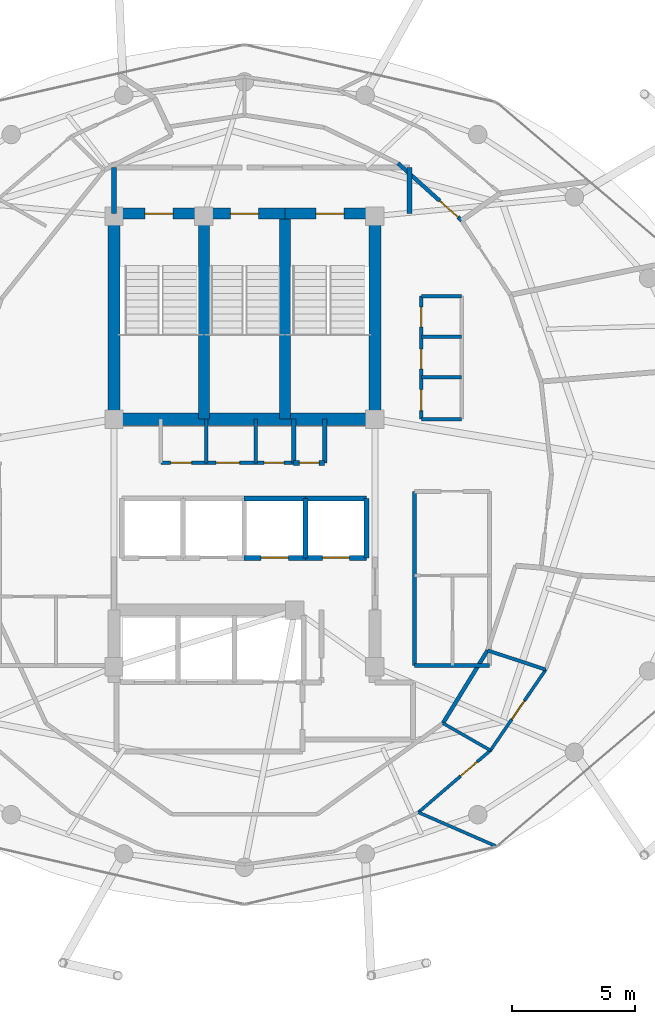
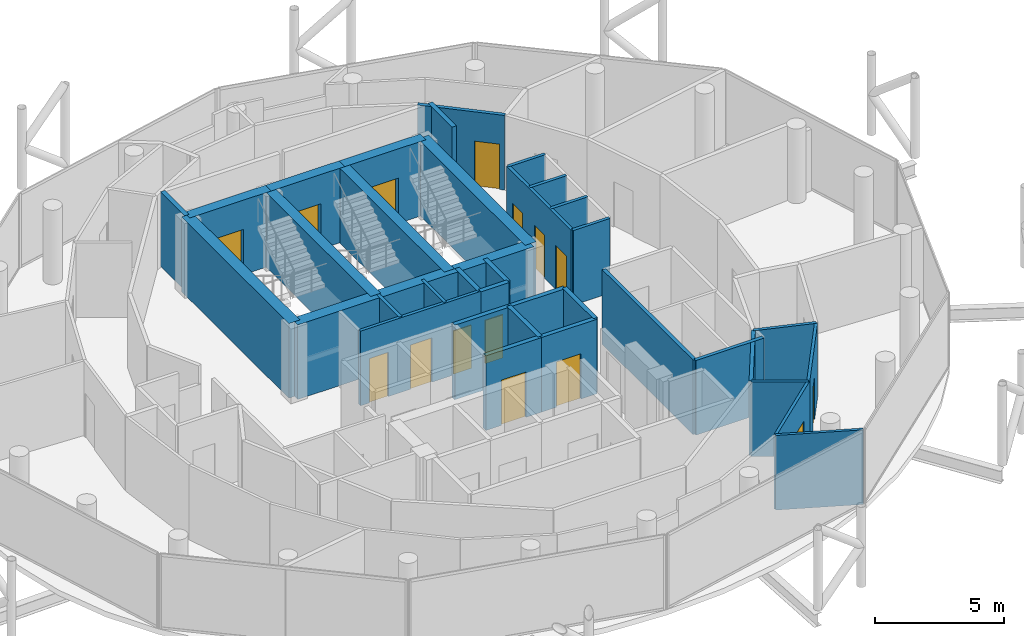
# One storey, part 21 of 24: 36 walls, 15 doors, 15 openings.
"""IFC4 building model written with IfcOpenShell, lengths in metres."""

from ifc_helpers import new_model, si_unit, direction, frame, frame_2d, origin, place, context, subcontext, project, spatial, rectangle, extrude, material, layer, layer_set, type_object, element, fill, save


model = new_model("IFC4")

# Units and contexts
model_context = context("Model", 3, precision=1e-05, world=origin(), true_north=direction((0.0, 1.0)))
body_context = subcontext(model_context, "Body", "Model", "MODEL_VIEW")
ifc_project = project(units=[si_unit("LENGTHUNIT", "METRE"), si_unit("AREAUNIT", "SQUARE_METRE"), si_unit("VOLUMEUNIT", "CUBIC_METRE"), si_unit("PLANEANGLEUNIT", "RADIAN"), si_unit("MASSUNIT", "GRAM", prefix="KILO")], contexts=[model_context])

# Site, building, storey
site_placement = place(None, origin())
site = spatial("IfcSite", under=ifc_project, at=site_placement, CompositionType="ELEMENT")
building_placement = place(site_placement, origin())
building = spatial("IfcBuilding", under=site, at=building_placement, Name="Nuhasar Tower", CompositionType="ELEMENT")
storey_placement = place(building_placement, frame((0.0, 0.0, 259.39990234375)))
storey = spatial("IfcBuildingStorey", under=building, at=storey_placement, Name="L64", CompositionType="ELEMENT", Elevation=259.39990234375)

# Wall, opening, door
ifc_material_1 = material(Name="Concrete C50/60", Category="concrete")
ifc_layer_1 = layer(ifc_material_1, 0.449951171875)
ifc_layer_set_1 = layer_set([ifc_layer_1], Name="Concrete C50/60")
wall_type_1 = type_object("IfcWallType", Name="WL-CORE-450", PredefinedType="SHEAR", material=ifc_layer_set_1)
wall_1_placement = place(storey_placement, frame((37.35009765625, 37.39990234375, 0.0), z_axis=(0.0, 0.0, 1.0), x_axis=(-1.0, 0.0, 0.0)))
wall_1 = element("IfcWall", 1, at=wall_1_placement, inside=storey, type_object=wall_type_1, Name="L64 Stairwell Shear Wall ST01-N", PredefinedType="SHEAR", context=body_context, shape_type="SweptSolid", body=[
    extrude(rectangle(XDim=3.650146484375, YDim=0.449951171875, at=frame_2d((1.8251953125, 0.0))), origin(), (0.0, 0.0, 1.0), 3.5400390625),
])
opening_1_placement = place(wall_1_placement, frame((1.25, 0.0, 0.0)))
opening_1 = element("IfcOpeningElement", 2, at=opening_1_placement, cuts=wall_1, Name="Opening DS-01", PredefinedType="OPENING", context=body_context, shape_type="SweptSolid", body=[
    extrude(rectangle(XDim=1.14990234375, YDim=2.14990234375, at=frame_2d((0.574951171875, 1.074951171875))), frame((0.0, 0.23486328125, 0.0), z_axis=(0.0, -1.0, 0.0), x_axis=(1.0, 0.0, 0.0)), (0.0, 0.0, 1.0), 0.469970703125),
])
ifc_material_2 = material(Name="Steel S355", Category="steel")
door_type_1 = type_object("IfcDoorType", Name="DR-STAIR-FD120-1150", OperationType="NOTDEFINED", PredefinedType="DOOR", material=ifc_material_2)
door_1_placement = place(opening_1_placement, origin())
door_1 = element("IfcDoor", 3, at=door_1_placement, inside=storey, type_object=door_type_1, Name="L64 Exit Stair ST-01 Door", OperationType="SINGLE_SWING_RIGHT", OverallHeight=2.14990234375, OverallWidth=1.14990234375, PredefinedType="DOOR", context=body_context, shape_type="SweptSolid", body=[
    extrude(rectangle(XDim=1.14990234375, YDim=2.14990234375, at=frame_2d((0.574951171875, 1.074951171875))), frame((0.0, 0.02490234375, 0.0), z_axis=(0.0, -1.0, 0.0), x_axis=(1.0, 0.0, 0.0)), (0.0, 0.0, 1.0), 0.050048828125),
])
fill(opening_1, door_1)

# Wall
wall_2_placement = place(storey_placement, frame((37.35009765625, 29.050048828125, 0.0), z_axis=(0.0, 0.0, 1.0), x_axis=(0.0, 1.0, 0.0)))
element("IfcWall", 4, at=wall_2_placement, inside=storey, type_object=wall_type_1, Name="L64 Stairwell Shear Wall ST01-E", PredefinedType="SHEAR", context=body_context, shape_type="SweptSolid", body=[
    extrude(rectangle(XDim=8.349853515625, YDim=0.449951171875, at=frame_2d((4.1748046875, 0.0))), origin(), (0.0, 0.0, 1.0), 3.5400390625),
])

# Wall, opening, door
wall_3_placement = place(storey_placement, frame((40.64990234375, 37.39990234375, 0.0), z_axis=(0.0, 0.0, 1.0), x_axis=(-1.0, 0.0, 0.0)))
wall_3 = element("IfcWall", 5, at=wall_3_placement, inside=storey, type_object=wall_type_1, Name="L64 Stairwell Shear Wall ST03-N", PredefinedType="SHEAR", context=body_context, shape_type="SweptSolid", body=[
    extrude(rectangle(XDim=3.2998046875, YDim=0.449951171875, at=frame_2d((1.64990234375, 0.0))), origin(), (0.0, 0.0, 1.0), 3.5400390625),
])
opening_2_placement = place(wall_3_placement, frame((1.074951171875, 0.0, 0.0)))
opening_2 = element("IfcOpeningElement", 6, at=opening_2_placement, cuts=wall_3, Name="Opening DS-01", PredefinedType="OPENING", context=body_context, shape_type="SweptSolid", body=[
    extrude(rectangle(XDim=1.14990234375, YDim=2.14990234375, at=frame_2d((0.574951171875, 1.074951171875))), frame((0.0, 0.23486328125, 0.0), z_axis=(0.0, -1.0, 0.0), x_axis=(1.0, 0.0, 0.0)), (0.0, 0.0, 1.0), 0.469970703125),
])
door_2_placement = place(opening_2_placement, origin())
door_2 = element("IfcDoor", 7, at=door_2_placement, inside=storey, type_object=door_type_1, Name="L64 Exit Stair ST-03 Door", OperationType="SINGLE_SWING_RIGHT", OverallHeight=2.14990234375, OverallWidth=1.14990234375, PredefinedType="DOOR", context=body_context, shape_type="SweptSolid", body=[
    extrude(rectangle(XDim=1.14990234375, YDim=2.14990234375, at=frame_2d((0.574951171875, 1.074951171875))), frame((0.0, 0.02490234375, 0.0), z_axis=(0.0, -1.0, 0.0), x_axis=(1.0, 0.0, 0.0)), (0.0, 0.0, 1.0), 0.050048828125),
])
fill(opening_2, door_2)

# Wall
wall_4_placement = place(storey_placement, frame((40.64990234375, 29.050048828125, 0.0), z_axis=(0.0, 0.0, 1.0), x_axis=(0.0, 1.0, 0.0)))
element("IfcWall", 8, at=wall_4_placement, inside=storey, type_object=wall_type_1, Name="L64 Stairwell Shear Wall ST03-E", PredefinedType="SHEAR", context=body_context, shape_type="SweptSolid", body=[
    extrude(rectangle(XDim=8.349853515625, YDim=0.449951171875, at=frame_2d((4.1748046875, 0.0))), origin(), (0.0, 0.0, 1.0), 3.5400390625),
])

# Wall, opening, door
wall_5_placement = place(storey_placement, frame((44.300048828125, 37.39990234375, 0.0), z_axis=(0.0, 0.0, 1.0), x_axis=(-1.0, 0.0, 0.0)))
wall_5 = element("IfcWall", 9, at=wall_5_placement, inside=storey, type_object=wall_type_1, Name="L64 Stairwell Shear Wall ST02-N", PredefinedType="SHEAR", context=body_context, shape_type="SweptSolid", body=[
    extrude(rectangle(XDim=3.650146484375, YDim=0.449951171875, at=frame_2d((1.8251953125, 0.0))), origin(), (0.0, 0.0, 1.0), 3.5400390625),
])
opening_3_placement = place(wall_5_placement, frame((1.25, 0.0, 0.0)))
opening_3 = element("IfcOpeningElement", 10, at=opening_3_placement, cuts=wall_5, Name="Opening DS-01", PredefinedType="OPENING", context=body_context, shape_type="SweptSolid", body=[
    extrude(rectangle(XDim=1.14990234375, YDim=2.14990234375, at=frame_2d((0.574951171875, 1.074951171875))), frame((0.0, 0.23486328125, 0.0), z_axis=(0.0, -1.0, 0.0), x_axis=(1.0, 0.0, 0.0)), (0.0, 0.0, 1.0), 0.469970703125),
])
door_3_placement = place(opening_3_placement, origin())
door_3 = element("IfcDoor", 11, at=door_3_placement, inside=storey, type_object=door_type_1, Name="L64 Exit Stair ST-02 Door", OperationType="SINGLE_SWING_LEFT", OverallHeight=2.14990234375, OverallWidth=1.14990234375, PredefinedType="DOOR", context=body_context, shape_type="SweptSolid", body=[
    extrude(rectangle(XDim=1.14990234375, YDim=2.14990234375, at=frame_2d((0.574951171875, 1.074951171875))), frame((0.0, 0.02490234375, 0.0), z_axis=(0.0, -1.0, 0.0), x_axis=(1.0, 0.0, 0.0)), (0.0, 0.0, 1.0), 0.050048828125),
])
fill(opening_3, door_3)

# Walls
ifc_layer_2 = layer(ifc_material_1, 0.5)
ifc_layer_set_2 = layer_set([ifc_layer_2], Name="Concrete C50/60")
wall_type_2 = type_object("IfcWallType", Name="WL-CORE-500", PredefinedType="SHEAR", material=ifc_layer_set_2)
for number, where, z_axis, x_axis, name in (
    (12, (33.699951171875, 29.050048828125, 0.0), (0.0, 0.0, 1.0), (0.0, 1.0, 0.0), "L64 Core Shear Wall CW-NW CW-500"),
    (13, (44.300048828125, 29.050048828125, 0.0), (0.0, 0.0, 1.0), (0.0, 1.0, 0.0), "L64 Core Shear Wall CW-NE CW-500"),
):
    element("IfcWall", number, at=place(storey_placement, frame(where, z_axis=z_axis, x_axis=x_axis)), inside=storey, type_object=wall_type_2, Name=name, PredefinedType="SHEAR", context=body_context, shape_type="SweptSolid", body=[
        extrude(rectangle(XDim=8.349853515625, YDim=0.5, at=frame_2d((4.1748046875, 0.0))), origin(), (0.0, 0.0, 1.0), 3.5400390625),
    ])
wall_6_placement = place(storey_placement, frame((33.699951171875, 29.050048828125, 0.0), z_axis=(0.0, 0.0, 1.0), x_axis=(1.0, 0.0, 0.0)))
element("IfcWall", 14, at=wall_6_placement, inside=storey, type_object=wall_type_2, Name="L64 Core Shear Wall CW-N1 CW-500", PredefinedType="SHEAR", context=body_context, shape_type="SweptSolid", body=[
    extrude(rectangle(XDim=10.60009765625, YDim=0.5, at=frame_2d((5.300048828125, 0.0))), origin(), (0.0, 0.0, 1.0), 3.5400390625),
])
ifc_material_3 = material(Name="Gypsum Board", Category="gypsum")
ifc_layer_3 = layer(ifc_material_3, 0.159912109375)
ifc_layer_set_3 = layer_set([ifc_layer_3], Name="Gypsum Board")
wall_type_3 = type_object("IfcWallType", Name="WL-CORR-160", PredefinedType="PARTITIONING", material=ifc_layer_set_3)
wall_7_placement = place(storey_placement, frame((45.89990234375, 19.050048828125, 0.0), z_axis=(0.0, 0.0, 1.0), x_axis=(1.0, 0.0, 0.0)))
element("IfcWall", 15, at=wall_7_placement, inside=storey, type_object=wall_type_3, Name="L64 Interior Partition RECL-B2-S", PredefinedType="PARTITIONING", context=body_context, shape_type="SweptSolid", body=[
    extrude(rectangle(XDim=3.050048828125, YDim=0.159912109375, at=frame_2d((1.52490234375, 0.0))), origin(), (0.0, 0.0, 1.0), 3.5400390625),
])
wall_8_placement = place(storey_placement, frame((45.89990234375, 19.050048828125, 0.0), z_axis=(0.0, 0.0, 1.0), x_axis=(0.0, 1.0, 0.0)))
element("IfcWall", 16, at=wall_8_placement, inside=storey, type_object=wall_type_3, Name="L64 Interior Partition RECL-B2-W", PredefinedType="PARTITIONING", context=body_context, shape_type="SweptSolid", body=[
    extrude(rectangle(XDim=7.070068359375, YDim=0.159912109375, at=frame_2d((3.53515625, 0.0))), origin(), (0.0, 0.0, 1.0), 3.5400390625),
])

# Wall, opening, door
wall_9_placement = place(storey_placement, frame((45.235107421875, 39.444091796875, 0.0), z_axis=(0.0, 0.0, 1.0), x_axis=(0.743958104357, -0.668226263299, 0.0)))
wall_9 = element("IfcWall", 17, at=wall_9_placement, inside=storey, type_object=wall_type_3, Name="L64 Interior Partition CORR-06", PredefinedType="PARTITIONING", context=body_context, shape_type="SweptSolid", body=[
    extrude(rectangle(XDim=3.471923828125, YDim=0.159912109375, at=frame_2d((1.73583984375, 0.0))), origin(), (0.0, 0.0, 1.0), 3.5400390625),
])
opening_4_placement = place(wall_9_placement, frame((2.27197265625, 0.0, 0.0)))
opening_4 = element("IfcOpeningElement", 18, at=opening_4_placement, cuts=wall_9, Name="Opening DU-02", PredefinedType="OPENING", context=body_context, shape_type="SweptSolid", body=[
    extrude(rectangle(XDim=1.0, YDim=2.14990234375, at=frame_2d((0.5, 1.074951171875))), frame((0.0, 0.08984375, 0.0), z_axis=(0.0, -1.0, 0.0), x_axis=(1.0, 0.0, 0.0)), (0.0, 0.0, 1.0), 0.179931640625),
])
ifc_material_4 = material(Name="Timber Oak", Category="wood")
door_type_2 = type_object("IfcDoorType", Name="DR-FLAT-FD60-1000", OperationType="NOTDEFINED", PredefinedType="DOOR", material=ifc_material_4)
door_4_placement = place(opening_4_placement, origin())
door_4 = element("IfcDoor", 19, at=door_4_placement, inside=storey, type_object=door_type_2, Name="L64 North-East Sky Penthouse Entrance Door", OperationType="SINGLE_SWING_RIGHT", OverallHeight=2.14990234375, OverallWidth=1.0, PredefinedType="DOOR", context=body_context, shape_type="SweptSolid", body=[
    extrude(rectangle(XDim=1.0, YDim=2.14990234375, at=frame_2d((0.5, 1.074951171875))), frame((0.0, 0.02490234375, 0.0), z_axis=(0.0, -1.0, 0.0), x_axis=(1.0, 0.0, 0.0)), (0.0, 0.0, 1.0), 0.050048828125),
])
fill(opening_4, door_4)

# Walls
wall_10_placement = place(storey_placement, frame((47.06103515625, 16.702880859375, 0.0), z_axis=(0.0, 0.0, 1.0), x_axis=(0.522486120877, 0.852647789823, 0.0)))
element("IfcWall", 20, at=wall_10_placement, inside=storey, type_object=wall_type_3, Name="L64 Interior Partition UWEST-CORE-S1-42", PredefinedType="PARTITIONING", context=body_context, shape_type="SweptSolid", body=[
    extrude(rectangle(XDim=3.468017578125, YDim=0.159912109375, at=frame_2d((1.73388671875, 0.0))), origin(), (0.0, 0.0, 1.0), 3.5400390625),
])
ifc_material_5 = material(Name="Concrete C45/55", Category="concrete")
ifc_layer_4 = layer(ifc_material_5, 0.199951171875)
ifc_layer_set_4 = layer_set([ifc_layer_4], Name="Concrete C45/55")
wall_type_4 = type_object("IfcWallType", Name="WL-LOBBY-200", PredefinedType="SOLIDWALL", material=ifc_layer_set_4)
for number, where, z_axis, x_axis, name in (
    (21, (33.699951171875, 37.39990234375, 0.0), (0.0, 0.0, 1.0), (0.0, 1.0, 0.0), "L64 Interior Partition NSL-W"),
    (22, (45.699951171875, 37.39990234375, 0.0), (0.0, 0.0, 1.0), (0.0, 1.0, 0.0), "L64 Interior Partition NSL-E"),
):
    element("IfcWall", number, at=place(storey_placement, frame(where, z_axis=z_axis, x_axis=x_axis)), inside=storey, type_object=wall_type_4, Name=name, PredefinedType="SOLIDWALL", context=body_context, shape_type="SweptSolid", body=[
        extrude(rectangle(XDim=1.880126953125, YDim=0.199951171875, at=frame_2d((0.93994140625, 0.0))), origin(), (0.0, 0.0, 1.0), 3.5400390625),
    ])

# Wall, opening, door
ifc_layer_5 = layer(ifc_material_3, 0.125)
ifc_layer_set_5 = layer_set([ifc_layer_5], Name="Gypsum Board")
wall_type_5 = type_object("IfcWallType", Name="WL-PART-125", PredefinedType="PARTITIONING", material=ifc_layer_set_5)
wall_11_placement = place(storey_placement, frame((51.237060546875, 18.8798828125, 0.0), z_axis=(0.0, 0.0, 1.0), x_axis=(-0.5649172284, -0.825147577744, 0.0)))
wall_11 = element("IfcWall", 23, at=wall_11_placement, inside=storey, type_object=wall_type_5, Name="L64 Interior Partition USM-2-K-42", PredefinedType="PARTITIONING", context=body_context, shape_type="SweptSolid", body=[
    extrude(rectangle(XDim=3.97607421875, YDim=0.125, at=frame_2d((1.988037109375, 0.0))), origin(), (0.0, 0.0, 1.0), 3.5400390625),
])
opening_5_placement = place(wall_11_placement, frame((1.5380859375, 0.0, 0.0)))
opening_5 = element("IfcOpeningElement", 24, at=opening_5_placement, cuts=wall_11, Name="Opening DR-01", PredefinedType="OPENING", context=body_context, shape_type="SweptSolid", body=[
    extrude(rectangle(XDim=0.89990234375, YDim=2.10009765625, at=frame_2d((0.449951171875, 1.050048828125))), frame((0.0, 0.072509765625, 0.0), z_axis=(0.0, -1.0, 0.0), x_axis=(1.0, 0.0, 0.0)), (0.0, 0.0, 1.0), 0.14501953125),
])
door_type_3 = type_object("IfcDoorType", Name="DR-ROOM-900", OperationType="NOTDEFINED", PredefinedType="DOOR", material=ifc_material_4)
door_5_placement = place(opening_5_placement, origin())
door_5 = element("IfcDoor", 25, at=door_5_placement, inside=storey, type_object=door_type_3, Name="L64 South-West Sky Home Kitchen Door", OperationType="SINGLE_SWING_LEFT", OverallHeight=2.10009765625, OverallWidth=0.89990234375, PredefinedType="DOOR", context=body_context, shape_type="SweptSolid", body=[
    extrude(rectangle(XDim=0.89990234375, YDim=2.10009765625, at=frame_2d((0.449951171875, 1.050048828125))), frame((0.0, 0.02490234375, 0.0), z_axis=(0.0, -1.0, 0.0), x_axis=(1.0, 0.0, 0.0)), (0.0, 0.0, 1.0), 0.050048828125),
])
fill(opening_5, door_5)

# Wall
wall_12_placement = place(storey_placement, frame((47.06103515625, 16.702880859375, 0.0), z_axis=(0.0, 0.0, 1.0), x_axis=(0.868060627231, -0.496458203126, 0.0)))
element("IfcWall", 26, at=wall_12_placement, inside=storey, type_object=wall_type_5, Name="L64 Interior Partition USI-2-DK", PredefinedType="PARTITIONING", context=body_context, shape_type="SweptSolid", body=[
    extrude(rectangle(XDim=2.223388671875, YDim=0.125, at=frame_2d((1.11181640625, 0.0))), origin(), (0.0, 0.0, 1.0), 3.5400390625),
])

# Wall, opening, door
wall_13_placement = place(storey_placement, frame((48.990966796875, 15.59912109375, 0.0), z_axis=(0.0, 0.0, 1.0), x_axis=(-0.758094504626, -0.652144709444, 0.0)))
wall_13 = element("IfcWall", 27, at=wall_13_placement, inside=storey, type_object=wall_type_5, Name="L64 Interior Partition USM-2-D-40", PredefinedType="PARTITIONING", context=body_context, shape_type="SweptSolid", body=[
    extrude(rectangle(XDim=3.859619140625, YDim=0.125, at=frame_2d((1.9296875, 0.0))), origin(), (0.0, 0.0, 1.0), 3.5400390625),
])
opening_6_placement = place(wall_13_placement, frame((0.701904296875, 0.0, 0.0)))
opening_6 = element("IfcOpeningElement", 28, at=opening_6_placement, cuts=wall_13, Name="Opening DR-01", PredefinedType="OPENING", context=body_context, shape_type="SweptSolid", body=[
    extrude(rectangle(XDim=0.89990234375, YDim=2.10009765625, at=frame_2d((0.449951171875, 1.050048828125))), frame((0.0, 0.072509765625, 0.0), z_axis=(0.0, -1.0, 0.0), x_axis=(1.0, 0.0, 0.0)), (0.0, 0.0, 1.0), 0.14501953125),
])
door_6_placement = place(opening_6_placement, origin())
door_6 = element("IfcDoor", 29, at=door_6_placement, inside=storey, type_object=door_type_3, Name="L64 South-West Sky Home Master Bedroom Door", OperationType="SINGLE_SWING_LEFT", OverallHeight=2.10009765625, OverallWidth=0.89990234375, PredefinedType="DOOR", context=body_context, shape_type="SweptSolid", body=[
    extrude(rectangle(XDim=0.89990234375, YDim=2.10009765625, at=frame_2d((0.449951171875, 1.050048828125))), frame((0.0, 0.02490234375, 0.0), z_axis=(0.0, -1.0, 0.0), x_axis=(1.0, 0.0, 0.0)), (0.0, 0.0, 1.0), 0.050048828125),
])
fill(opening_6, door_6)

# Walls
wall_14_placement = place(storey_placement, frame((46.06494140625, 13.08203125, 0.0), z_axis=(0.0, 0.0, 1.0), x_axis=(0.916707983788, -0.399557846199, 0.0)))
element("IfcWall", 30, at=wall_14_placement, inside=storey, type_object=wall_type_5, Name="L64 Interior Partition USO-2-BD", PredefinedType="PARTITIONING", context=body_context, shape_type="SweptSolid", body=[
    extrude(rectangle(XDim=3.43408203125, YDim=0.125, at=frame_2d((1.717041015625, 0.0))), origin(), (0.0, 0.0, 1.0), 3.5400390625),
])
ifc_layer_6 = layer(ifc_material_5, 0.199951171875)
ifc_layer_set_6 = layer_set([ifc_layer_6], Name="Concrete C45/55")
wall_type_6 = type_object("IfcWallType", Name="WL-SHAFT-200", PredefinedType="SOLIDWALL", material=ifc_layer_set_6)
for number, where, z_axis, x_axis, name in (
    (31, (41.0, 27.280029296875, 0.0), (0.0, 0.0, 1.0), (0.0, 1.0, 0.0), "L64 Interior Partition RSRN-W"),
    (32, (42.260009765625, 27.280029296875, 0.0), (0.0, 0.0, 1.0), (0.0, 1.0, 0.0), "L64 Interior Partition RSRN-E"),
):
    element("IfcWall", number, at=place(storey_placement, frame(where, z_axis=z_axis, x_axis=x_axis)), inside=storey, type_object=wall_type_6, Name=name, PredefinedType="SOLIDWALL", context=body_context, shape_type="SweptSolid", body=[
        extrude(rectangle(XDim=1.77001953125, YDim=0.199951171875, at=frame_2d((0.885009765625, 0.0))), origin(), (0.0, 0.0, 1.0), 3.5400390625),
    ])

# Wall, opening, door
wall_15_placement = place(storey_placement, frame((41.0, 27.280029296875, 0.0), z_axis=(0.0, 0.0, 1.0), x_axis=(1.0, 0.0, 0.0)))
wall_15 = element("IfcWall", 33, at=wall_15_placement, inside=storey, type_object=wall_type_6, Name="L64 Interior Partition RSRN-S", PredefinedType="SOLIDWALL", context=body_context, shape_type="SweptSolid", body=[
    extrude(rectangle(XDim=1.260009765625, YDim=0.199951171875, at=frame_2d((0.6298828125, 0.0))), origin(), (0.0, 0.0, 1.0), 3.5400390625),
])
opening_7_placement = place(wall_15_placement, frame((0.22998046875, 0.0, 0.0)))
opening_7 = element("IfcOpeningElement", 34, at=opening_7_placement, cuts=wall_15, Name="Opening DM-01", PredefinedType="OPENING", context=body_context, shape_type="SweptSolid", body=[
    extrude(rectangle(XDim=0.800048828125, YDim=2.050048828125, at=frame_2d((0.39990234375, 1.02490234375))), frame((0.0, 0.10986328125, 0.0), z_axis=(0.0, -1.0, 0.0), x_axis=(1.0, 0.0, 0.0)), (0.0, 0.0, 1.0), 0.219970703125),
])
door_type_4 = type_object("IfcDoorType", Name="DR-RISER-FD60-800", OperationType="NOTDEFINED", PredefinedType="DOOR", material=ifc_material_2)
door_7_placement = place(opening_7_placement, origin())
door_7 = element("IfcDoor", 35, at=door_7_placement, inside=storey, type_object=door_type_4, Name="L64 North Smoke Riser Door", OperationType="SINGLE_SWING_RIGHT", OverallHeight=2.050048828125, OverallWidth=0.800048828125, PredefinedType="DOOR", context=body_context, shape_type="SweptSolid", body=[
    extrude(rectangle(XDim=0.800048828125, YDim=2.050048828125, at=frame_2d((0.39990234375, 1.02490234375))), frame((0.0, 0.02490234375, 0.0), z_axis=(0.0, -1.0, 0.0), x_axis=(1.0, 0.0, 0.0)), (0.0, 0.0, 1.0), 0.050048828125),
])
fill(opening_7, door_7)

wall_16_placement = place(storey_placement, frame((38.97998046875, 23.419921875, 0.0), z_axis=(0.0, 0.0, 1.0), x_axis=(1.0, 0.0, 0.0)))
wall_16 = element("IfcWall", 36, at=wall_16_placement, inside=storey, type_object=wall_type_6, Name="L64 Interior Partition SHF-PL-H03-S", PredefinedType="SOLIDWALL", context=body_context, shape_type="SweptSolid", body=[
    extrude(rectangle(XDim=2.5, YDim=0.199951171875, at=frame_2d((1.25, 0.0))), origin(), (0.0, 0.0, 1.0), 3.5400390625),
])
opening_8_placement = place(wall_16_placement, frame((0.699951171875, 0.0, 0.0)))
opening_8 = element("IfcOpeningElement", 37, at=opening_8_placement, cuts=wall_16, Name="Opening LD-H03", PredefinedType="OPENING", context=body_context, shape_type="SweptSolid", body=[
    extrude(rectangle(XDim=1.10009765625, YDim=2.14990234375, at=frame_2d((0.550048828125, 1.074951171875))), frame((0.0, 0.10986328125, 0.0), z_axis=(0.0, -1.0, 0.0), x_axis=(1.0, 0.0, 0.0)), (0.0, 0.0, 1.0), 0.219970703125),
])
ifc_material_6 = material(Name="Stainless Steel 316L", Category="steel")
door_type_5 = type_object("IfcDoorType", Name="LD-PAX-1100", OperationType="DOUBLE_DOOR_SLIDING", PredefinedType="DOOR", material=ifc_material_6)
door_8_placement = place(opening_8_placement, origin())
door_8 = element("IfcDoor", 38, at=door_8_placement, inside=storey, type_object=door_type_5, Name="L64 Lift Landing Door PL-H03", OperationType="DOUBLE_DOOR_SLIDING", OverallHeight=2.14990234375, OverallWidth=1.10009765625, PredefinedType="DOOR", context=body_context, shape_type="SweptSolid", body=[
    extrude(rectangle(XDim=1.10009765625, YDim=2.14990234375, at=frame_2d((0.550048828125, 1.074951171875))), frame((0.0, 0.02490234375, 0.0), z_axis=(0.0, -1.0, 0.0), x_axis=(1.0, 0.0, 0.0)), (0.0, 0.0, 1.0), 0.050048828125),
])
fill(opening_8, door_8)

# Walls
wall_17_placement = place(storey_placement, frame((38.97998046875, 25.830078125, 0.0), z_axis=(0.0, 0.0, 1.0), x_axis=(1.0, 0.0, 0.0)))
element("IfcWall", 39, at=wall_17_placement, inside=storey, type_object=wall_type_6, Name="L64 Interior Partition SHF-PL-H03-N", PredefinedType="SOLIDWALL", context=body_context, shape_type="SweptSolid", body=[
    extrude(rectangle(XDim=2.5, YDim=0.199951171875, at=frame_2d((1.25, 0.0))), origin(), (0.0, 0.0, 1.0), 3.5400390625),
])
wall_18_placement = place(storey_placement, frame((41.469970703125, 23.419921875, 0.0), z_axis=(0.0, 0.0, 1.0), x_axis=(0.0, 1.0, 0.0)))
element("IfcWall", 40, at=wall_18_placement, inside=storey, type_object=wall_type_6, Name="L64 Interior Partition SHF-PL-H03-E", PredefinedType="SOLIDWALL", context=body_context, shape_type="SweptSolid", body=[
    extrude(rectangle(XDim=2.41015625, YDim=0.199951171875, at=frame_2d((1.205078125, 0.0))), origin(), (0.0, 0.0, 1.0), 3.5400390625),
])

# Wall, opening, door
wall_19_placement = place(storey_placement, frame((41.4599609375, 23.419921875, 0.0), z_axis=(0.0, 0.0, 1.0), x_axis=(1.0, 0.0, 0.0)))
wall_19 = element("IfcWall", 41, at=wall_19_placement, inside=storey, type_object=wall_type_6, Name="L64 Interior Partition SHF-PL-H04-S", PredefinedType="SOLIDWALL", context=body_context, shape_type="SweptSolid", body=[
    extrude(rectangle(XDim=2.5, YDim=0.199951171875, at=frame_2d((1.25, 0.0))), origin(), (0.0, 0.0, 1.0), 3.5400390625),
])
opening_9_placement = place(wall_19_placement, frame((0.699951171875, 0.0, 0.0)))
opening_9 = element("IfcOpeningElement", 42, at=opening_9_placement, cuts=wall_19, Name="Opening LD-H04", PredefinedType="OPENING", context=body_context, shape_type="SweptSolid", body=[
    extrude(rectangle(XDim=1.10009765625, YDim=2.14990234375, at=frame_2d((0.550048828125, 1.074951171875))), frame((0.0, 0.10986328125, 0.0), z_axis=(0.0, -1.0, 0.0), x_axis=(1.0, 0.0, 0.0)), (0.0, 0.0, 1.0), 0.219970703125),
])
door_9_placement = place(opening_9_placement, origin())
door_9 = element("IfcDoor", 43, at=door_9_placement, inside=storey, type_object=door_type_5, Name="L64 Lift Landing Door PL-H04", OperationType="DOUBLE_DOOR_SLIDING", OverallHeight=2.14990234375, OverallWidth=1.10009765625, PredefinedType="DOOR", context=body_context, shape_type="SweptSolid", body=[
    extrude(rectangle(XDim=1.10009765625, YDim=2.14990234375, at=frame_2d((0.550048828125, 1.074951171875))), frame((0.0, 0.02490234375, 0.0), z_axis=(0.0, -1.0, 0.0), x_axis=(1.0, 0.0, 0.0)), (0.0, 0.0, 1.0), 0.050048828125),
])
fill(opening_9, door_9)

# Walls
wall_20_placement = place(storey_placement, frame((41.4599609375, 25.830078125, 0.0), z_axis=(0.0, 0.0, 1.0), x_axis=(1.0, 0.0, 0.0)))
element("IfcWall", 44, at=wall_20_placement, inside=storey, type_object=wall_type_6, Name="L64 Interior Partition SHF-PL-H04-N", PredefinedType="SOLIDWALL", context=body_context, shape_type="SweptSolid", body=[
    extrude(rectangle(XDim=2.5, YDim=0.199951171875, at=frame_2d((1.25, 0.0))), origin(), (0.0, 0.0, 1.0), 3.5400390625),
])
wall_21_placement = place(storey_placement, frame((43.9599609375, 23.419921875, 0.0), z_axis=(0.0, 0.0, 1.0), x_axis=(0.0, 1.0, 0.0)))
element("IfcWall", 45, at=wall_21_placement, inside=storey, type_object=wall_type_6, Name="L64 Interior Partition SHF-PL-H04-E", PredefinedType="SOLIDWALL", context=body_context, shape_type="SweptSolid", body=[
    extrude(rectangle(XDim=2.41015625, YDim=0.199951171875, at=frame_2d((1.205078125, 0.0))), origin(), (0.0, 0.0, 1.0), 3.5400390625),
])

# Wall, openings, doors
ifc_material_7 = material(Name="Concrete C40/50 precast", Category="concrete")
ifc_layer_7 = layer(ifc_material_7, 0.139892578125)
ifc_layer_set_7 = layer_set([ifc_layer_7], Name="Concrete C40/50 precast")
wall_type_7 = type_object("IfcWallType", Name="WL-WET-140", PredefinedType="PARTITIONING", material=ifc_layer_set_7)
wall_22_placement = place(storey_placement, frame((35.60009765625, 27.280029296875, 0.0), z_axis=(0.0, 0.0, 1.0), x_axis=(1.0, 0.0, 0.0)))
wall_22 = element("IfcWall", 46, at=wall_22_placement, inside=storey, type_object=wall_type_7, Name="L64 Interior Partition CSVC-S", PredefinedType="PARTITIONING", context=body_context, shape_type="SweptSolid", body=[
    extrude(rectangle(XDim=5.39990234375, YDim=0.139892578125, at=frame_2d((2.699951171875, 0.0))), origin(), (0.0, 0.0, 1.0), 3.5400390625),
])
opening_10_placement = place(wall_22_placement, frame((0.39990234375, 0.0, 0.0)))
opening_10 = element("IfcOpeningElement", 47, at=opening_10_placement, cuts=wall_22, Name="Opening DB-01", PredefinedType="OPENING", context=body_context, shape_type="SweptSolid", body=[
    extrude(rectangle(XDim=0.85009765625, YDim=2.10009765625, at=frame_2d((0.425048828125, 1.050048828125))), frame((0.0, 0.080078125, 0.0), z_axis=(0.0, -1.0, 0.0), x_axis=(1.0, 0.0, 0.0)), (0.0, 0.0, 1.0), 0.159912109375),
])
opening_11_placement = place(wall_22_placement, frame((2.25, 0.0, 0.0)))
opening_11 = element("IfcOpeningElement", 48, at=opening_11_placement, cuts=wall_22, Name="Opening DA-01", PredefinedType="OPENING", context=body_context, shape_type="SweptSolid", body=[
    extrude(rectangle(XDim=0.949951171875, YDim=2.10009765625, at=frame_2d((0.47509765625, 1.050048828125))), frame((0.0, 0.080078125, 0.0), z_axis=(0.0, -1.0, 0.0), x_axis=(1.0, 0.0, 0.0)), (0.0, 0.0, 1.0), 0.159912109375),
])
opening_12_placement = place(wall_22_placement, frame((4.199951171875, 0.0, 0.0)))
opening_12 = element("IfcOpeningElement", 49, at=opening_12_placement, cuts=wall_22, Name="Opening DM-01", PredefinedType="OPENING", context=body_context, shape_type="SweptSolid", body=[
    extrude(rectangle(XDim=0.800048828125, YDim=2.050048828125, at=frame_2d((0.39990234375, 1.02490234375))), frame((0.0, 0.080078125, 0.0), z_axis=(0.0, -1.0, 0.0), x_axis=(1.0, 0.0, 0.0)), (0.0, 0.0, 1.0), 0.159912109375),
])
door_type_6 = type_object("IfcDoorType", Name="DR-ACCWC-950", OperationType="NOTDEFINED", PredefinedType="DOOR", material=ifc_material_4)
door_10_placement = place(opening_11_placement, origin())
door_10 = element("IfcDoor", 50, at=door_10_placement, inside=storey, type_object=door_type_6, Name="L64 Core Accessible WC Door", OperationType="SINGLE_SWING_RIGHT", OverallHeight=2.10009765625, OverallWidth=0.949951171875, PredefinedType="DOOR", context=body_context, shape_type="SweptSolid", body=[
    extrude(rectangle(XDim=0.949951171875, YDim=2.10009765625, at=frame_2d((0.47509765625, 1.050048828125))), frame((0.0, 0.02490234375, 0.0), z_axis=(0.0, -1.0, 0.0), x_axis=(1.0, 0.0, 0.0)), (0.0, 0.0, 1.0), 0.050048828125),
])
fill(opening_11, door_10)
door_type_7 = type_object("IfcDoorType", Name="DR-BATH-850", OperationType="NOTDEFINED", PredefinedType="DOOR", material=ifc_material_4)
door_11_placement = place(opening_10_placement, origin())
door_11 = element("IfcDoor", 51, at=door_11_placement, inside=storey, type_object=door_type_7, Name="L64 Core Male WC Door", OperationType="SINGLE_SWING_LEFT", OverallHeight=2.10009765625, OverallWidth=0.85009765625, PredefinedType="DOOR", context=body_context, shape_type="SweptSolid", body=[
    extrude(rectangle(XDim=0.85009765625, YDim=2.10009765625, at=frame_2d((0.425048828125, 1.050048828125))), frame((0.0, 0.02490234375, 0.0), z_axis=(0.0, -1.0, 0.0), x_axis=(1.0, 0.0, 0.0)), (0.0, 0.0, 1.0), 0.050048828125),
])
fill(opening_10, door_11)
door_12_placement = place(opening_12_placement, origin())
door_12 = element("IfcDoor", 52, at=door_12_placement, inside=storey, type_object=door_type_4, Name="L64 Core Janitor Door", OperationType="SINGLE_SWING_RIGHT", OverallHeight=2.050048828125, OverallWidth=0.800048828125, PredefinedType="DOOR", context=body_context, shape_type="SweptSolid", body=[
    extrude(rectangle(XDim=0.800048828125, YDim=2.050048828125, at=frame_2d((0.39990234375, 1.02490234375))), frame((0.0, 0.02490234375, 0.0), z_axis=(0.0, -1.0, 0.0), x_axis=(1.0, 0.0, 0.0)), (0.0, 0.0, 1.0), 0.050048828125),
])
fill(opening_12, door_12)

# Walls
for number, where, z_axis, x_axis, name in (
    (53, (37.449951171875, 27.280029296875, 0.0), (0.0, 0.0, 1.0), (0.0, 1.0, 0.0), "L64 Interior Partition K1-P1"),
    (54, (39.449951171875, 27.280029296875, 0.0), (0.0, 0.0, 1.0), (0.0, 1.0, 0.0), "L64 Interior Partition K1-P2"),
):
    element("IfcWall", number, at=place(storey_placement, frame(where, z_axis=z_axis, x_axis=x_axis)), inside=storey, type_object=wall_type_7, Name=name, PredefinedType="PARTITIONING", context=body_context, shape_type="SweptSolid", body=[
        extrude(rectangle(XDim=1.77001953125, YDim=0.139892578125, at=frame_2d((0.885009765625, 0.0))), origin(), (0.0, 0.0, 1.0), 3.5400390625),
    ])

# Wall, openings, doors
wall_23_placement = place(storey_placement, frame((46.179931640625, 34.050048828125, 0.0), z_axis=(0.0, 0.0, 1.0), x_axis=(0.0, -1.0, 0.0)))
wall_23 = element("IfcWall", 55, at=wall_23_placement, inside=storey, type_object=wall_type_7, Name="L64 Interior Partition K1-NE-W", PredefinedType="PARTITIONING", context=body_context, shape_type="SweptSolid", body=[
    extrude(rectangle(XDim=5.0, YDim=0.139892578125, at=frame_2d((2.5, 0.0))), origin(), (0.0, 0.0, 1.0), 3.5400390625),
])
opening_13_placement = place(wall_23_placement, frame((3.800048828125, 0.0, 0.0)))
opening_13 = element("IfcOpeningElement", 56, at=opening_13_placement, cuts=wall_23, Name="Opening DB-01", PredefinedType="OPENING", context=body_context, shape_type="SweptSolid", body=[
    extrude(rectangle(XDim=0.85009765625, YDim=2.10009765625, at=frame_2d((0.425048828125, 1.050048828125))), frame((0.0, 0.080078125, 0.0), z_axis=(0.0, -1.0, 0.0), x_axis=(1.0, 0.0, 0.0)), (0.0, 0.0, 1.0), 0.159912109375),
])
opening_14_placement = place(wall_23_placement, frame((2.14990234375, 0.0, 0.0)))
opening_14 = element("IfcOpeningElement", 57, at=opening_14_placement, cuts=wall_23, Name="Opening DM-01", PredefinedType="OPENING", context=body_context, shape_type="SweptSolid", body=[
    extrude(rectangle(XDim=0.800048828125, YDim=2.050048828125, at=frame_2d((0.39990234375, 1.02490234375))), frame((0.0, 0.080078125, 0.0), z_axis=(0.0, -1.0, 0.0), x_axis=(1.0, 0.0, 0.0)), (0.0, 0.0, 1.0), 0.159912109375),
])
opening_15_placement = place(wall_23_placement, frame((0.449951171875, 0.0, 0.0)))
opening_15 = element("IfcOpeningElement", 58, at=opening_15_placement, cuts=wall_23, Name="Opening DM-01", PredefinedType="OPENING", context=body_context, shape_type="SweptSolid", body=[
    extrude(rectangle(XDim=0.800048828125, YDim=2.050048828125, at=frame_2d((0.39990234375, 1.02490234375))), frame((0.0, 0.080078125, 0.0), z_axis=(0.0, -1.0, 0.0), x_axis=(1.0, 0.0, 0.0)), (0.0, 0.0, 1.0), 0.159912109375),
])
door_13_placement = place(opening_13_placement, origin())
door_13 = element("IfcDoor", 59, at=door_13_placement, inside=storey, type_object=door_type_7, Name="L64 NE Female WC Door", OperationType="SINGLE_SWING_RIGHT", OverallHeight=2.10009765625, OverallWidth=0.85009765625, PredefinedType="DOOR", context=body_context, shape_type="SweptSolid", body=[
    extrude(rectangle(XDim=0.85009765625, YDim=2.10009765625, at=frame_2d((0.425048828125, 1.050048828125))), frame((0.0, 0.02490234375, 0.0), z_axis=(0.0, -1.0, 0.0), x_axis=(1.0, 0.0, 0.0)), (0.0, 0.0, 1.0), 0.050048828125),
])
fill(opening_13, door_13)
door_14_placement = place(opening_14_placement, origin())
door_14 = element("IfcDoor", 60, at=door_14_placement, inside=storey, type_object=door_type_4, Name="L64 NE Meter Door", OperationType="SINGLE_SWING_RIGHT", OverallHeight=2.050048828125, OverallWidth=0.800048828125, PredefinedType="DOOR", context=body_context, shape_type="SweptSolid", body=[
    extrude(rectangle(XDim=0.800048828125, YDim=2.050048828125, at=frame_2d((0.39990234375, 1.02490234375))), frame((0.0, 0.02490234375, 0.0), z_axis=(0.0, -1.0, 0.0), x_axis=(1.0, 0.0, 0.0)), (0.0, 0.0, 1.0), 0.050048828125),
])
fill(opening_14, door_14)
door_15_placement = place(opening_15_placement, origin())
door_15 = element("IfcDoor", 61, at=door_15_placement, inside=storey, type_object=door_type_4, Name="L64 NE Telecom Door", OperationType="SINGLE_SWING_LEFT", OverallHeight=2.050048828125, OverallWidth=0.800048828125, PredefinedType="DOOR", context=body_context, shape_type="SweptSolid", body=[
    extrude(rectangle(XDim=0.800048828125, YDim=2.050048828125, at=frame_2d((0.39990234375, 1.02490234375))), frame((0.0, 0.02490234375, 0.0), z_axis=(0.0, -1.0, 0.0), x_axis=(1.0, 0.0, 0.0)), (0.0, 0.0, 1.0), 0.050048828125),
])
fill(opening_15, door_15)

# Walls
for number, where, z_axis, x_axis, name in (
    (62, (46.179931640625, 29.050048828125, 0.0), (0.0, 0.0, 1.0), (1.0, 0.0, 0.0), "L64 Interior Partition K1-NE-S"),
    (63, (46.179931640625, 30.75, 0.0), (0.0, 0.0, 1.0), (1.0, 0.0, 0.0), "L64 Interior Partition K1-NE-M1"),
    (64, (46.179931640625, 32.39990234375, 0.0), (0.0, 0.0, 1.0), (1.0, 0.0, 0.0), "L64 Interior Partition K1-NE-M2"),
    (65, (46.179931640625, 34.050048828125, 0.0), (0.0, 0.0, 1.0), (1.0, 0.0, 0.0), "L64 Interior Partition K1-NE-N"),
):
    element("IfcWall", number, at=place(storey_placement, frame(where, z_axis=z_axis, x_axis=x_axis)), inside=storey, type_object=wall_type_7, Name=name, PredefinedType="PARTITIONING", context=body_context, shape_type="SweptSolid", body=[
        extrude(rectangle(XDim=1.64013671875, YDim=0.139892578125, at=frame_2d((0.820068359375, 0.0))), origin(), (0.0, 0.0, 1.0), 3.5400390625),
    ])
wall_24_placement = place(storey_placement, frame((48.873046875, 19.659912109375, 0.0), z_axis=(0.0, 0.0, 1.0), x_axis=(0.949640030913, -0.313342961765, 0.0)))
element("IfcWall", 66, at=wall_24_placement, inside=storey, type_object=wall_type_7, Name="L64 Interior Partition USI-2-KB", PredefinedType="PARTITIONING", context=body_context, shape_type="SweptSolid", body=[
    extrude(rectangle(XDim=2.4892578125, YDim=0.139892578125, at=frame_2d((1.24462890625, 0.0))), origin(), (0.0, 0.0, 1.0), 3.5400390625),
])

save(model, "model.ifc")
